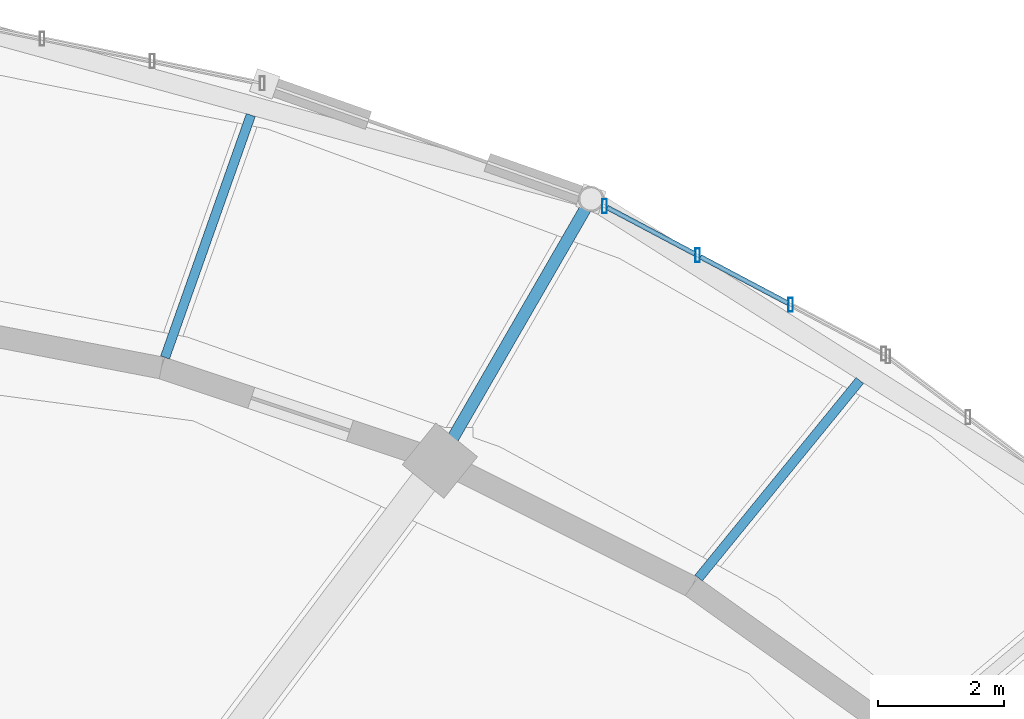
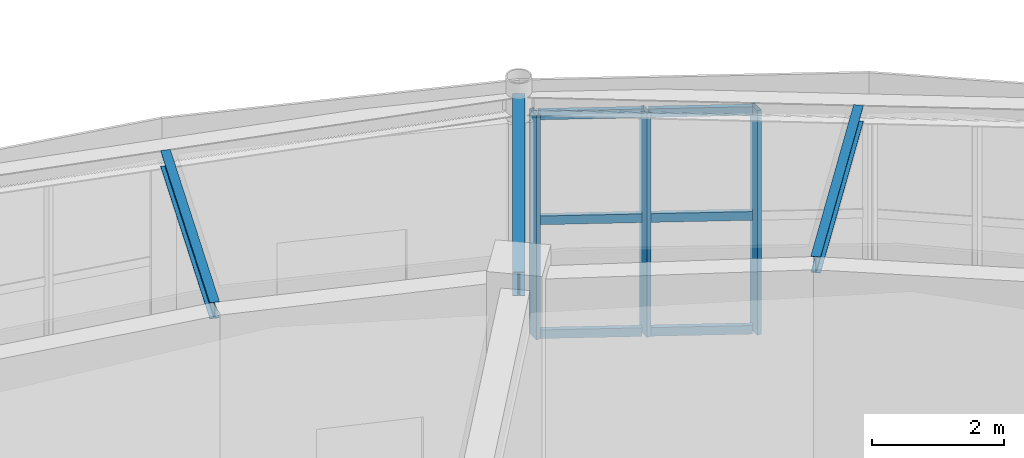
# One storey, part 56 of 108: 9 members, 3 beams, 1 element without a shape of its own.
"""IFC4 building model written with IfcOpenShell, lengths in metres."""

from ifc_helpers import new_model, si_unit, direction, frame, origin, origin_2d, place, context, subcontext, project, spatial, hollow_rectangle, i_section, extrude, material, material_profile, profile_set, type_object, element, aggregate, save


model = new_model("IFC4")

# Units and contexts
model_context = context("Model", 3, precision=1e-05, world=origin(), true_north=direction((0.0, 1.0)))
body_context = subcontext(model_context, "Body", "Model", "MODEL_VIEW")
ifc_project = project(units=[si_unit("LENGTHUNIT", "METRE"), si_unit("AREAUNIT", "SQUARE_METRE"), si_unit("VOLUMEUNIT", "CUBIC_METRE"), si_unit("PLANEANGLEUNIT", "RADIAN"), si_unit("MASSUNIT", "GRAM", prefix="KILO")], contexts=[model_context])

# Site, building, storey
site_placement = place(None, origin())
site = spatial("IfcSite", under=ifc_project, at=site_placement, CompositionType="ELEMENT")
building_placement = place(site_placement, origin())
building = spatial("IfcBuilding", under=site, at=building_placement, Name="Tarnveldt Headland Concert Hall", CompositionType="ELEMENT")
storey_placement = place(building_placement, origin())
storey = spatial("IfcBuildingStorey", under=building, at=storey_placement, Name="L00", CompositionType="ELEMENT", Elevation=0.0)

# Curtain wall, members
ifc_material_1 = material(Name="Marine-anodised aluminium EN AW-6063-T6", Category="aluminium")
curtain_wall_type = type_object("IfcCurtainWallType", Name="CW-F1", PredefinedType="NOTDEFINED", material=ifc_material_1)
curtain_wall_placement = place(storey_placement, origin())
curtain_wall = element("IfcCurtainWall", 1, at=curtain_wall_placement, inside=storey, type_object=curtain_wall_type, Name="Curtain wall CW-L00-005", PredefinedType="NOTDEFINED")
ifc_material_profile_1 = material_profile(ifc_material_1, hollow_rectangle(XDim=0.074951171875, YDim=0.219970703125, WallThickness=0.0048828125, at=origin_2d()), Name="ALU MULLION 75x220x5", Category="aluminium")
ifc_profile_set_1 = profile_set([ifc_material_profile_1], Name="Marine-anodised aluminium EN AW-6063-T6")
member_type_1 = type_object("IfcMemberType", Name="ML-200", PredefinedType="MULLION", material=ifc_profile_set_1)
member_1_placement = place(storey_placement, frame((103.0703125, 74.298828125, 0.0), z_axis=(0.0, 0.0, 1.0), x_axis=(1.0, 0.0, 0.0)))
member_1 = element("IfcMember", 2, at=member_1_placement, type_object=member_type_1, Name="Mullion CW-L00-005-2", PredefinedType="MULLION", context=body_context, shape_type="SweptSolid", body=[
    extrude(hollow_rectangle(XDim=0.074951171875, YDim=0.219970703125, WallThickness=0.0048828125, at=origin_2d()), origin(), (0.0, 0.0, 1.0), 4.139892578125),
])
member_2_placement = place(storey_placement, frame((101.592529296875, 75.081298828125, 0.0), z_axis=(0.0, 0.0, 1.0), x_axis=(1.0, 0.0, 0.0)))
member_2 = element("IfcMember", 3, at=member_2_placement, type_object=member_type_1, Name="Mullion CW-L00-005-3", PredefinedType="MULLION", context=body_context, shape_type="SweptSolid", body=[
    extrude(hollow_rectangle(XDim=0.074951171875, YDim=0.219970703125, WallThickness=0.0048828125, at=origin_2d()), origin(), (0.0, 0.0, 1.0), 4.139892578125),
])
member_3_placement = place(storey_placement, frame((100.114990234375, 75.863525390625, 0.0), z_axis=(0.0, 0.0, 1.0), x_axis=(1.0, 0.0, 0.0)))
member_3 = element("IfcMember", 4, at=member_3_placement, type_object=member_type_1, Name="Mullion CW-L00-005-4", PredefinedType="MULLION", context=body_context, shape_type="SweptSolid", body=[
    extrude(hollow_rectangle(XDim=0.074951171875, YDim=0.219970703125, WallThickness=0.0048828125, at=origin_2d()), origin(), (0.0, 0.0, 1.0), 4.139892578125),
])

# Beams
ifc_material_2 = material(Name="Steel S355", Category="steel")
ifc_material_profile_2 = material_profile(ifc_material_2, i_section(OverallWidth=0.14990234375, OverallDepth=0.300048828125, WebThickness=0.007080078125, FlangeThickness=0.0107421875, FilletRadius=0.014892578125, at=origin_2d()), Name="IPE300", Category="steel")
ifc_profile_set_2 = profile_set([ifc_material_profile_2], Name="Steel S355")
beam_type_1 = type_object("IfcBeamType", Name="SB-IPE300", PredefinedType="JOIST", material=ifc_profile_set_2)
beam_1_placement = place(storey_placement, frame((101.608642578125, 69.95654296875, 4.3701171875), z_axis=(0.63225535632, 0.774760068928, 0.0), x_axis=(-0.774760068928, 0.63225535632, 0.0)))
element("IfcBeam", 5, at=beam_1_placement, inside=storey, type_object=beam_type_1, Name="Framing beam L00-355", PredefinedType="JOIST", context=body_context, shape_type="SweptSolid", body=[
    extrude(i_section(OverallWidth=0.14990234375, OverallDepth=0.300048828125, WebThickness=0.007080078125, FlangeThickness=0.0107421875, FilletRadius=0.014892578125, at=origin_2d()), origin(), (0.0, 0.0, 1.0), 4.04833984375),
])
beam_2_placement = place(storey_placement, frame((93.135009765625, 73.458984375, 4.3701171875), z_axis=(0.33369553072, 0.942680907188, 0.0), x_axis=(-0.942680907188, 0.33369553072, 0.0)))
element("IfcBeam", 6, at=beam_2_placement, inside=storey, type_object=beam_type_1, Name="Framing beam L00-358", PredefinedType="JOIST", context=body_context, shape_type="SweptSolid", body=[
    extrude(i_section(OverallWidth=0.14990234375, OverallDepth=0.300048828125, WebThickness=0.007080078125, FlangeThickness=0.0107421875, FilletRadius=0.014892578125, at=origin_2d()), origin(), (0.0, 0.0, 1.0), 4.083984375),
])
ifc_material_profile_3 = material_profile(ifc_material_2, i_section(OverallWidth=0.18994140625, OverallDepth=0.449951171875, WebThickness=0.009521484375, FlangeThickness=0.0146484375, FilletRadius=0.02099609375, at=origin_2d()), Name="IPE450", Category="steel")
ifc_profile_set_3 = profile_set([ifc_material_profile_3], Name="Steel S355")
beam_type_2 = type_object("IfcBeamType", Name="SB-IPE450", PredefinedType="BEAM", material=ifc_profile_set_3)
beam_3_placement = place(storey_placement, frame((97.52001953125, 71.85498046875, 4.294921875), z_axis=(0.500016218704, 0.866016039709, 0.0), x_axis=(-0.866016039709, 0.500016218704, 0.0)))
element("IfcBeam", 7, at=beam_3_placement, inside=storey, type_object=beam_type_2, Name="Framing beam L00-357", PredefinedType="BEAM", context=body_context, shape_type="SweptSolid", body=[
    extrude(i_section(OverallWidth=0.18994140625, OverallDepth=0.449951171875, WebThickness=0.009521484375, FlangeThickness=0.0146484375, FilletRadius=0.02099609375, at=origin_2d()), origin(), (0.0, 0.0, 1.0), 4.699951171875),
])

# Member
ifc_material_profile_4 = material_profile(ifc_material_1, hollow_rectangle(XDim=0.074951171875, YDim=0.159912109375, WallThickness=0.00390625, at=origin_2d()), Name="ALU TRANSOM 75x160x4", Category="aluminium")
ifc_profile_set_4 = profile_set([ifc_material_profile_4], Name="Marine-anodised aluminium EN AW-6063-T6")
member_type_2 = type_object("IfcMemberType", Name="TR-160", PredefinedType="MEMBER", material=ifc_profile_set_4)
member_4_placement = place(storey_placement, frame((103.026611328125, 74.322021484375, 0.050048828125), z_axis=(-0.883787916347, 0.467887720419, 0.0), x_axis=(-0.467887720419, -0.883787916347, 0.0)))
member_4 = element("IfcMember", 8, at=member_4_placement, type_object=member_type_2, Name="Transom CW-L00-005-2-1", PredefinedType="MEMBER", context=body_context, shape_type="SweptSolid", body=[
    extrude(hollow_rectangle(XDim=0.074951171875, YDim=0.159912109375, WallThickness=0.00390625, at=origin_2d()), origin(), (0.0, 0.0, 1.0), 1.5732421875),
])

member_5_placement = place(storey_placement, frame((103.026611328125, 74.322021484375, 2.15283203125), z_axis=(-0.883787916347, 0.467887720419, 0.0), x_axis=(-0.467887720419, -0.883787916347, 0.0)))
member_5 = element("IfcMember", 9, at=member_5_placement, type_object=member_type_2, Name="Transom CW-L00-005-2-2", PredefinedType="MEMBER", context=body_context, shape_type="SweptSolid", body=[
    extrude(hollow_rectangle(XDim=0.074951171875, YDim=0.159912109375, WallThickness=0.00390625, at=origin_2d()), origin(), (0.0, 0.0, 1.0), 1.5732421875),
])

member_6_placement = place(storey_placement, frame((103.026611328125, 74.322021484375, 4.090087890625), z_axis=(-0.883787916347, 0.467887720419, 0.0), x_axis=(-0.467887720419, -0.883787916347, 0.0)))
member_6 = element("IfcMember", 10, at=member_6_placement, type_object=member_type_2, Name="Transom CW-L00-005-2-3", PredefinedType="MEMBER", context=body_context, shape_type="SweptSolid", body=[
    extrude(hollow_rectangle(XDim=0.074951171875, YDim=0.159912109375, WallThickness=0.00390625, at=origin_2d()), origin(), (0.0, 0.0, 1.0), 1.5732421875),
])

member_7_placement = place(storey_placement, frame((101.548828125, 75.1044921875, 0.050048828125), z_axis=(-0.883818119323, 0.467830665901, 0.0), x_axis=(-0.467830665901, -0.883818119323, 0.0)))
member_7 = element("IfcMember", 11, at=member_7_placement, type_object=member_type_2, Name="Transom CW-L00-005-3-1", PredefinedType="MEMBER", context=body_context, shape_type="SweptSolid", body=[
    extrude(hollow_rectangle(XDim=0.074951171875, YDim=0.159912109375, WallThickness=0.00390625, at=origin_2d()), origin(), (0.0, 0.0, 1.0), 1.572998046875),
])

member_8_placement = place(storey_placement, frame((101.548828125, 75.1044921875, 2.15283203125), z_axis=(-0.883818119323, 0.467830665901, 0.0), x_axis=(-0.467830665901, -0.883818119323, 0.0)))
member_8 = element("IfcMember", 12, at=member_8_placement, type_object=member_type_2, Name="Transom CW-L00-005-3-2", PredefinedType="MEMBER", context=body_context, shape_type="SweptSolid", body=[
    extrude(hollow_rectangle(XDim=0.074951171875, YDim=0.159912109375, WallThickness=0.00390625, at=origin_2d()), origin(), (0.0, 0.0, 1.0), 1.572998046875),
])

member_9_placement = place(storey_placement, frame((101.548828125, 75.1044921875, 4.090087890625), z_axis=(-0.883818119323, 0.467830665901, 0.0), x_axis=(-0.467830665901, -0.883818119323, 0.0)))
member_9 = element("IfcMember", 13, at=member_9_placement, type_object=member_type_2, Name="Transom CW-L00-005-3-3", PredefinedType="MEMBER", context=body_context, shape_type="SweptSolid", body=[
    extrude(hollow_rectangle(XDim=0.074951171875, YDim=0.159912109375, WallThickness=0.00390625, at=origin_2d()), origin(), (0.0, 0.0, 1.0), 1.572998046875),
])

aggregate(curtain_wall, [member_1, member_2, member_3, member_4, member_5, member_6, member_7, member_8, member_9])

save(model, "model.ifc")
